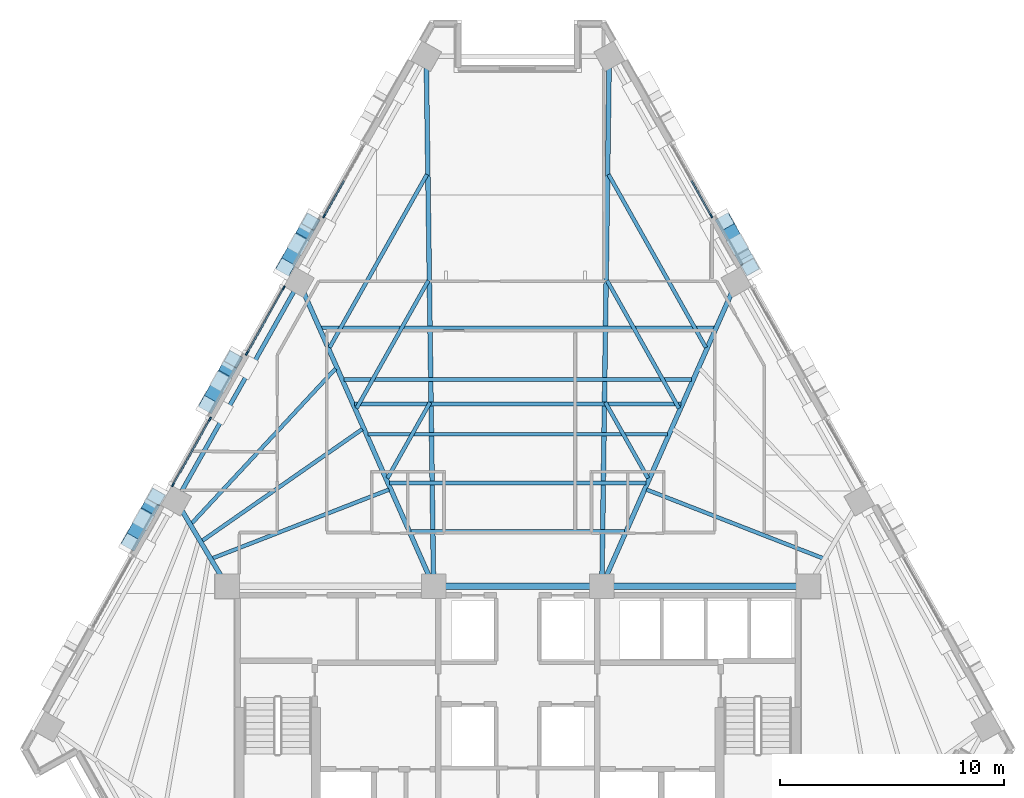
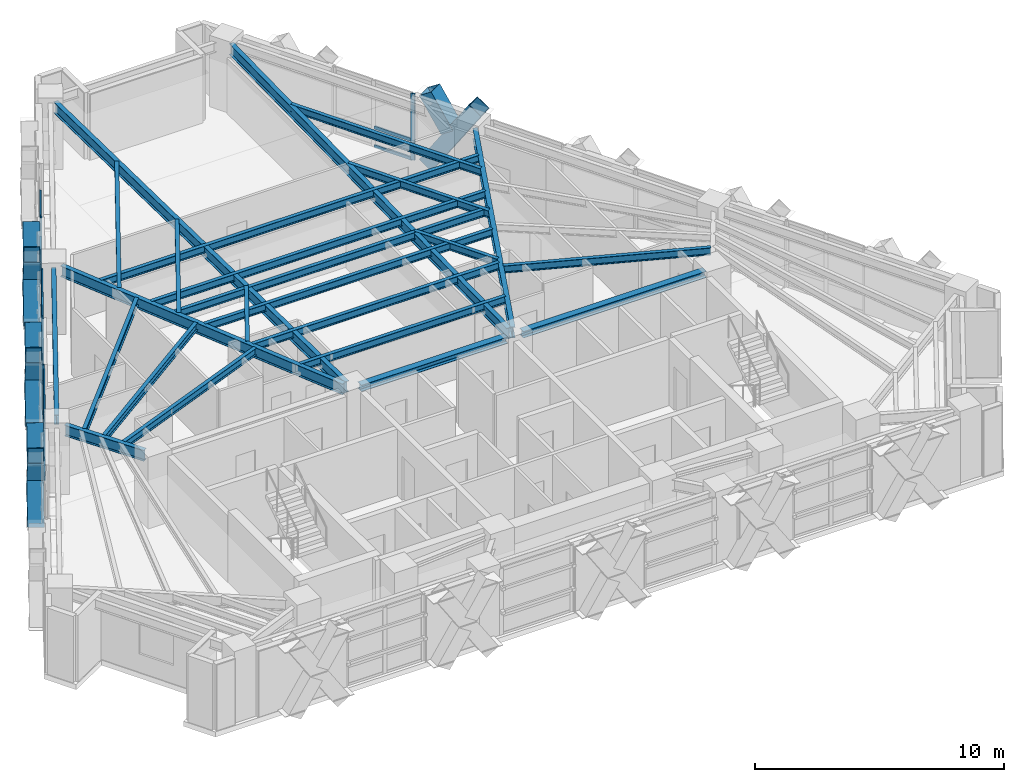
# One storey, part 3 of 14: 28 members, 24 beams, 4 elements without a shape of their own.
"""IFC4 building model written with IfcOpenShell, lengths in metres."""

from ifc_helpers import new_model, si_unit, direction, frame, origin, origin_2d, place, context, subcontext, project, spatial, rectangle, hollow_rectangle, i_section, extrude, material, material_profile, profile_set, type_object, element, aggregate, save


model = new_model("IFC4")

# Units and contexts
model_context = context("Model", 3, precision=1e-05, world=origin(), true_north=direction((0.0, 1.0)))
body_context = subcontext(model_context, "Body", "Model", "MODEL_VIEW")
ifc_project = project(units=[si_unit("LENGTHUNIT", "METRE"), si_unit("AREAUNIT", "SQUARE_METRE"), si_unit("VOLUMEUNIT", "CUBIC_METRE"), si_unit("PLANEANGLEUNIT", "RADIAN"), si_unit("MASSUNIT", "GRAM", prefix="KILO")], contexts=[model_context])

# Site, building, storey
site_placement = place(None, origin())
site = spatial("IfcSite", under=ifc_project, at=site_placement, CompositionType="ELEMENT")
building_placement = place(site_placement, origin())
building = spatial("IfcBuilding", under=site, at=building_placement, Name="Quenlor Broadcast Tower", CompositionType="ELEMENT")
storey_placement = place(building_placement, frame((0.0, 0.0, 154.5)))
storey = spatial("IfcBuildingStorey", under=building, at=storey_placement, Name="L42", CompositionType="ELEMENT", Elevation=154.5)

# Curtain wall, member
ifc_material_1 = material(Name="Architectural Terracotta and Low-E Glazing", Category="masonry")
curtain_wall_type = type_object("IfcCurtainWallType", Name="Unitised Terracotta Curtain Wall System Z3", PredefinedType="NOTDEFINED", material=ifc_material_1)
curtain_wall_1_placement = place(storey_placement, origin())
curtain_wall_1 = element("IfcCurtainWall", 1, at=curtain_wall_1_placement, inside=storey, type_object=curtain_wall_type, Name="L42 Curtain Wall CW3 (L42-NEA-G1)", PredefinedType="NOTDEFINED")
ifc_material_2 = material(Name="Aluminium 6063-T6", Category="aluminium")
ifc_material_profile_1 = material_profile(ifc_material_2, rectangle(XDim=0.070068359375, YDim=0.18994140625, at=origin_2d()))
ifc_profile_set_1 = profile_set([ifc_material_profile_1], Name="Aluminium 6063-T6 MULL70x190")
member_type_1 = type_object("IfcMemberType", Name="CW3 Aluminium Mullion MULL_CW3", PredefinedType="MULLION", material=ifc_profile_set_1)
member_1_placement = place(storey_placement, frame((8.62353515625, 11.71240234375, 0.0), z_axis=(0.0, 0.0, 1.0), x_axis=(0.871570530637, 0.490270139949, 0.0)))
member_1 = element("IfcMember", 2, at=member_1_placement, type_object=member_type_1, Name="CW3 mullion 3", PredefinedType="MULLION", context=body_context, shape_type="SweptSolid", body=[
    extrude(rectangle(XDim=0.070068359375, YDim=0.18994140625, at=origin_2d()), origin(), (0.0, 0.0, 1.0), 3.25),
])

curtain_wall_2_placement = place(storey_placement, origin())
curtain_wall_2 = element("IfcCurtainWall", 3, at=curtain_wall_2_placement, inside=storey, type_object=curtain_wall_type, Name="L42 Curtain Wall CW3 (L42-NWC-G1)", PredefinedType="NOTDEFINED")
member_2_placement = place(storey_placement, frame((-8.62353515625, 11.71240234375, 0.0), z_axis=(0.0, 0.0, 1.0), x_axis=(-0.871570530637, 0.490270139949, 0.0)))
member_2 = element("IfcMember", 4, at=member_2_placement, type_object=member_type_1, Name="CW3 mullion 1", PredefinedType="MULLION", context=body_context, shape_type="SweptSolid", body=[
    extrude(rectangle(XDim=0.070068359375, YDim=0.18994140625, at=origin_2d()), origin(), (0.0, 0.0, 1.0), 3.25),
])

# Curtain wall, members
curtain_wall_3_placement = place(storey_placement, origin())
curtain_wall_3 = element("IfcCurtainWall", 5, at=curtain_wall_3_placement, inside=storey, type_object=curtain_wall_type, Name="L42 Curtain Wall CW3 (L42-NW-G1)", PredefinedType="NOTDEFINED")
member_3_placement = place(storey_placement, frame((-15.365966796875, -0.274169921875, 0.0), z_axis=(0.0, 0.0, 1.0), x_axis=(-0.871571633105, 0.490268180048, 0.0)))
member_3 = element("IfcMember", 6, at=member_3_placement, type_object=member_type_1, Name="CW3 mullion 1", PredefinedType="MULLION", context=body_context, shape_type="SweptSolid", body=[
    extrude(rectangle(XDim=0.070068359375, YDim=0.18994140625, at=origin_2d()), origin(), (0.0, 0.0, 1.0), 3.25),
])
member_4_placement = place(storey_placement, frame((-13.723388671875, 2.64599609375, 0.0), z_axis=(0.0, 0.0, 1.0), x_axis=(-0.871571633105, 0.490268180048, 0.0)))
member_4 = element("IfcMember", 7, at=member_4_placement, type_object=member_type_1, Name="CW3 mullion 2", PredefinedType="MULLION", context=body_context, shape_type="SweptSolid", body=[
    extrude(rectangle(XDim=0.070068359375, YDim=0.18994140625, at=origin_2d()), origin(), (0.0, 0.0, 1.0), 3.25),
])

curtain_wall_4_placement = place(storey_placement, origin())
curtain_wall_4 = element("IfcCurtainWall", 8, at=curtain_wall_4_placement, inside=storey, type_object=curtain_wall_type, Name="L42 Curtain Wall CW3 (L42-NW-G2)", PredefinedType="NOTDEFINED")
member_5_placement = place(storey_placement, frame((-12.071533203125, 5.582275390625, 0.0), z_axis=(0.0, 0.0, 1.0), x_axis=(-0.871578660222, 0.490255687418, 0.0)))
member_5 = element("IfcMember", 9, at=member_5_placement, type_object=member_type_1, Name="CW3 mullion 1", PredefinedType="MULLION", context=body_context, shape_type="SweptSolid", body=[
    extrude(rectangle(XDim=0.070068359375, YDim=0.18994140625, at=origin_2d()), origin(), (0.0, 0.0, 1.0), 3.25),
])
member_6_placement = place(storey_placement, frame((-10.428955078125, 8.50244140625, 0.0), z_axis=(0.0, 0.0, 1.0), x_axis=(-0.871578660222, 0.490255687418, 0.0)))
member_6 = element("IfcMember", 10, at=member_6_placement, type_object=member_type_1, Name="CW3 mullion 2", PredefinedType="MULLION", context=body_context, shape_type="SweptSolid", body=[
    extrude(rectangle(XDim=0.070068359375, YDim=0.18994140625, at=origin_2d()), origin(), (0.0, 0.0, 1.0), 3.25),
])

# Member
ifc_material_3 = material(Name="Aluminium 6063-T6", Category="aluminium")
ifc_material_profile_2 = material_profile(ifc_material_3, rectangle(XDim=0.070068359375, YDim=0.155029296875, at=origin_2d()))
ifc_profile_set_2 = profile_set([ifc_material_profile_2], Name="Aluminium 6063-T6 TRAN70x155")
member_type_2 = type_object("IfcMemberType", Name="CW3 Aluminium Transom TRAN_CW3", PredefinedType="USERDEFINED", material=ifc_profile_set_2)
member_7_placement = place(storey_placement, frame((7.742431640625, 13.278564453125, 0.034912109375), z_axis=(0.490353334151, -0.871523727553, 0.0), x_axis=(0.871523727553, 0.490353334151, 0.0)))
member_7 = element("IfcMember", 11, at=member_7_placement, type_object=member_type_2, Name="CW3 transom 2.1", ObjectType="TRANSOM", PredefinedType="USERDEFINED", context=body_context, shape_type="SweptSolid", body=[
    extrude(rectangle(XDim=0.070068359375, YDim=0.155029296875, at=origin_2d()), origin(), (0.0, 0.0, 1.0), 1.761962890625),
])

member_8_placement = place(storey_placement, frame((7.742431640625, 13.278564453125, 0.949951171875), z_axis=(0.490353334151, -0.871523727553, 0.0), x_axis=(0.871523727553, 0.490353334151, 0.0)))
member_8 = element("IfcMember", 12, at=member_8_placement, type_object=member_type_2, Name="CW3 transom 2.2", ObjectType="TRANSOM", PredefinedType="USERDEFINED", context=body_context, shape_type="SweptSolid", body=[
    extrude(rectangle(XDim=0.070068359375, YDim=0.155029296875, at=origin_2d()), origin(), (0.0, 0.0, 1.0), 1.761962890625),
])

aggregate(curtain_wall_1, [member_1, member_7, member_8])

member_9_placement = place(storey_placement, frame((-8.6064453125, 11.742919921875, 0.034912109375), z_axis=(0.490353334151, 0.871523727553, 0.0), x_axis=(-0.871523727553, 0.490353334151, 0.0)))
member_9 = element("IfcMember", 13, at=member_9_placement, type_object=member_type_2, Name="CW3 transom 1.1", ObjectType="TRANSOM", PredefinedType="USERDEFINED", context=body_context, shape_type="SweptSolid", body=[
    extrude(rectangle(XDim=0.070068359375, YDim=0.155029296875, at=origin_2d()), origin(), (0.0, 0.0, 1.0), 1.761962890625),
])

member_10_placement = place(storey_placement, frame((-8.6064453125, 11.742919921875, 0.949951171875), z_axis=(0.490353334151, 0.871523727553, 0.0), x_axis=(-0.871523727553, 0.490353334151, 0.0)))
member_10 = element("IfcMember", 14, at=member_10_placement, type_object=member_type_2, Name="CW3 transom 1.2", ObjectType="TRANSOM", PredefinedType="USERDEFINED", context=body_context, shape_type="SweptSolid", body=[
    extrude(rectangle(XDim=0.070068359375, YDim=0.155029296875, at=origin_2d()), origin(), (0.0, 0.0, 1.0), 1.761962890625),
])

member_11_placement = place(storey_placement, frame((-8.6064453125, 11.742919921875, 3.215087890625), z_axis=(0.490353334151, 0.871523727553, 0.0), x_axis=(-0.871523727553, 0.490353334151, 0.0)))
member_11 = element("IfcMember", 15, at=member_11_placement, type_object=member_type_2, Name="CW3 transom 1.3", ObjectType="TRANSOM", PredefinedType="USERDEFINED", context=body_context, shape_type="SweptSolid", body=[
    extrude(rectangle(XDim=0.070068359375, YDim=0.155029296875, at=origin_2d()), origin(), (0.0, 0.0, 1.0), 1.761962890625),
])

aggregate(curtain_wall_2, [member_2, member_9, member_10, member_11])

member_12_placement = place(storey_placement, frame((-15.348876953125, -0.24365234375, 0.034912109375), z_axis=(0.490293039863, 0.871557648731, 0.0), x_axis=(-0.871557648731, 0.490293039863, 0.0)))
member_12 = element("IfcMember", 16, at=member_12_placement, type_object=member_type_2, Name="CW3 transom 1.1", ObjectType="TRANSOM", PredefinedType="USERDEFINED", context=body_context, shape_type="SweptSolid", body=[
    extrude(rectangle(XDim=0.070068359375, YDim=0.155029296875, at=origin_2d()), origin(), (0.0, 0.0, 1.0), 3.280517578125),
])

member_13_placement = place(storey_placement, frame((-15.348876953125, -0.24365234375, 0.949951171875), z_axis=(0.490293039863, 0.871557648731, 0.0), x_axis=(-0.871557648731, 0.490293039863, 0.0)))
member_13 = element("IfcMember", 17, at=member_13_placement, type_object=member_type_2, Name="CW3 transom 1.2", ObjectType="TRANSOM", PredefinedType="USERDEFINED", context=body_context, shape_type="SweptSolid", body=[
    extrude(rectangle(XDim=0.070068359375, YDim=0.155029296875, at=origin_2d()), origin(), (0.0, 0.0, 1.0), 3.280517578125),
])

member_14_placement = place(storey_placement, frame((-15.348876953125, -0.24365234375, 3.215087890625), z_axis=(0.490293039863, 0.871557648731, 0.0), x_axis=(-0.871557648731, 0.490293039863, 0.0)))
member_14 = element("IfcMember", 18, at=member_14_placement, type_object=member_type_2, Name="CW3 transom 1.3", ObjectType="TRANSOM", PredefinedType="USERDEFINED", context=body_context, shape_type="SweptSolid", body=[
    extrude(rectangle(XDim=0.070068359375, YDim=0.155029296875, at=origin_2d()), origin(), (0.0, 0.0, 1.0), 3.280517578125),
])

aggregate(curtain_wall_3, [member_3, member_4, member_12, member_13, member_14])

member_15_placement = place(storey_placement, frame((-12.054443359375, 5.61279296875, 0.034912109375), z_axis=(0.490236504766, 0.871589450025, 0.0), x_axis=(-0.871589450025, 0.490236504766, 0.0)))
member_15 = element("IfcMember", 19, at=member_15_placement, type_object=member_type_2, Name="CW3 transom 1.1", ObjectType="TRANSOM", PredefinedType="USERDEFINED", context=body_context, shape_type="SweptSolid", body=[
    extrude(rectangle(XDim=0.070068359375, YDim=0.155029296875, at=origin_2d()), origin(), (0.0, 0.0, 1.0), 3.2802734375),
])

member_16_placement = place(storey_placement, frame((-12.054443359375, 5.61279296875, 0.949951171875), z_axis=(0.490236504766, 0.871589450025, 0.0), x_axis=(-0.871589450025, 0.490236504766, 0.0)))
member_16 = element("IfcMember", 20, at=member_16_placement, type_object=member_type_2, Name="CW3 transom 1.2", ObjectType="TRANSOM", PredefinedType="USERDEFINED", context=body_context, shape_type="SweptSolid", body=[
    extrude(rectangle(XDim=0.070068359375, YDim=0.155029296875, at=origin_2d()), origin(), (0.0, 0.0, 1.0), 3.2802734375),
])

member_17_placement = place(storey_placement, frame((-12.054443359375, 5.61279296875, 3.215087890625), z_axis=(0.490236504766, 0.871589450025, 0.0), x_axis=(-0.871589450025, 0.490236504766, 0.0)))
member_17 = element("IfcMember", 21, at=member_17_placement, type_object=member_type_2, Name="CW3 transom 1.3", ObjectType="TRANSOM", PredefinedType="USERDEFINED", context=body_context, shape_type="SweptSolid", body=[
    extrude(rectangle(XDim=0.070068359375, YDim=0.155029296875, at=origin_2d()), origin(), (0.0, 0.0, 1.0), 3.2802734375),
])

aggregate(curtain_wall_4, [member_5, member_6, member_15, member_16, member_17])

# Beams
ifc_material_4 = material(Name="Steel S355", Category="steel")
ifc_material_profile_3 = material_profile(ifc_material_4, i_section(OverallWidth=0.304931640625, OverallDepth=0.30810546875, WebThickness=0.010009765625, FlangeThickness=0.015380859375, FilletRadius=0.0166015625, at=origin_2d()))
ifc_profile_set_3 = profile_set([ifc_material_profile_3], Name="Steel S355 310UC96.8")
beam_type_1 = type_object("IfcBeamType", Name="Core Header Beam Steel S355 310UC96.8", PredefinedType="BEAM", material=ifc_profile_set_3)
beam_1_placement = place(storey_placement, frame((-3.389892578125, -4.800048828125, 3.095947265625), z_axis=(1.0, 0.0, 0.0), x_axis=(0.0, 1.0, 0.0)))
element("IfcBeam", 22, at=beam_1_placement, inside=storey, type_object=beam_type_1, Name="L42 Core Header Beam 2", PredefinedType="BEAM", context=body_context, shape_type="SweptSolid", body=[
    extrude(i_section(OverallWidth=0.304931640625, OverallDepth=0.30810546875, WebThickness=0.010009765625, FlangeThickness=0.015380859375, FilletRadius=0.0166015625, at=origin_2d()), origin(), (0.0, 0.0, 1.0), 6.77978515625),
])
ifc_material_5 = material(Name="Steel S355", Category="steel")
ifc_material_profile_4 = material_profile(ifc_material_5, i_section(OverallWidth=0.306884765625, OverallDepth=0.314697265625, WebThickness=0.011962890625, FlangeThickness=0.018798828125, FilletRadius=0.0166015625, at=origin_2d()))
ifc_profile_set_4 = profile_set([ifc_material_profile_4], Name="Steel S355 310UC118")
beam_type_2 = type_object("IfcBeamType", Name="Core Tie Beam Steel S355 310UC118", PredefinedType="BEAM", material=ifc_profile_set_4)
beam_2_placement = place(storey_placement, frame((4.110107421875, -4.800048828125, 3.0927734375), z_axis=(1.0, 0.0, 0.0), x_axis=(0.0, 1.0, 0.0)))
element("IfcBeam", 23, at=beam_2_placement, inside=storey, type_object=beam_type_2, Name="L42 Core Tie Beam 3", PredefinedType="BEAM", context=body_context, shape_type="SweptSolid", body=[
    extrude(i_section(OverallWidth=0.306884765625, OverallDepth=0.314697265625, WebThickness=0.011962890625, FlangeThickness=0.018798828125, FilletRadius=0.0166015625, at=origin_2d()), origin(), (0.0, 0.0, 1.0), 8.47998046875),
])

# Members
ifc_material_6 = material(Name="Steel S355", Category="steel")
ifc_material_profile_5 = material_profile(ifc_material_6, hollow_rectangle(XDim=0.679931640625, YDim=0.679931640625, WallThickness=0.02490234375, at=origin_2d()))
ifc_profile_set_5 = profile_set([ifc_material_profile_5], Name="Steel S355 RHS680x680x25")
member_type_3 = type_object("IfcMemberType", Name="Perimeter Diagonal Lattice Brace Z3-Z4 Steel S355 RHS680x25", PredefinedType="BRACE", material=ifc_profile_set_5)
member_18_placement = place(storey_placement, frame((9.225830078125, 11.447265625, -0.1201171875), z_axis=(0.27060310517, -0.481001091283, 0.833913610428), x_axis=(0.871544572467, 0.490316283845, 0.0)))
element("IfcMember", 24, at=member_18_placement, inside=storey, type_object=member_type_3, Name="L42 Perimeter Diamond Lattice NE-C2XA", PredefinedType="BRACE", context=body_context, shape_type="SweptSolid", body=[
    extrude(hollow_rectangle(XDim=0.679931640625, YDim=0.679931640625, WallThickness=0.02490234375, at=origin_2d()), origin(), (0.0, 0.0, 1.0), 4.197021484375),
])
member_19_placement = place(storey_placement, frame((9.72607421875, 10.55810546875, 1.83837890625), z_axis=(-0.270616433058, 0.481007832697, 0.833905396938), x_axis=(-0.871537189362, -0.490329407194, 0.0)))
element("IfcMember", 25, at=member_19_placement, inside=storey, type_object=member_type_3, Name="L42 Perimeter Diamond Lattice NE-C2XB2", PredefinedType="BRACE", context=body_context, shape_type="SweptSolid", body=[
    extrude(hollow_rectangle(XDim=0.679931640625, YDim=0.679931640625, WallThickness=0.02490234375, at=origin_2d()), origin(), (0.0, 0.0, 1.0), 1.8486328125),
])
member_20_placement = place(storey_placement, frame((-17.257568359375, -2.83154296875, -0.1201171875), z_axis=(0.2705491942, 0.481008661973, 0.833926735766), x_axis=(-0.871589611547, 0.490236217596, 0.0)))
element("IfcMember", 26, at=member_20_placement, inside=storey, type_object=member_type_3, Name="L42 Perimeter Diamond Lattice NW-C2XA", PredefinedType="BRACE", context=body_context, shape_type="SweptSolid", body=[
    extrude(hollow_rectangle(XDim=0.679931640625, YDim=0.679931640625, WallThickness=0.02490234375, at=origin_2d()), origin(), (0.0, 0.0, 1.0), 4.197021484375),
])
member_21_placement = place(storey_placement, frame((-16.1220703125, -0.812744140625, -0.1201171875), z_axis=(-0.270616433058, -0.481007832697, 0.833905396938), x_axis=(0.871537189362, -0.490329407194, 0.0)))
element("IfcMember", 27, at=member_21_placement, inside=storey, type_object=member_type_3, Name="L42 Perimeter Diamond Lattice NW-C2XB1", PredefinedType="BRACE", context=body_context, shape_type="SweptSolid", body=[
    extrude(hollow_rectangle(XDim=0.679931640625, YDim=0.679931640625, WallThickness=0.02490234375, at=origin_2d()), origin(), (0.0, 0.0, 1.0), 1.8486328125),
])
member_22_placement = place(storey_placement, frame((-16.757568359375, -1.9423828125, 1.83837890625), z_axis=(-0.270494026149, -0.481025021111, 0.833935195853), x_axis=(0.871639445711, -0.490147607034, 0.0)))
element("IfcMember", 28, at=member_22_placement, inside=storey, type_object=member_type_3, Name="L42 Perimeter Diamond Lattice NW-C2XB2", PredefinedType="BRACE", context=body_context, shape_type="SweptSolid", body=[
    extrude(hollow_rectangle(XDim=0.679931640625, YDim=0.679931640625, WallThickness=0.02490234375, at=origin_2d()), origin(), (0.0, 0.0, 1.0), 1.848388671875),
])
member_23_placement = place(storey_placement, frame((-13.8095703125, 3.298583984375, -0.1201171875), z_axis=(0.270556764115, 0.480963948764, 0.833950068878), x_axis=(-0.871564276035, 0.49028125881, 0.0)))
element("IfcMember", 29, at=member_23_placement, inside=storey, type_object=member_type_3, Name="L42 Perimeter Diamond Lattice NW-C3XA", PredefinedType="BRACE", context=body_context, shape_type="SweptSolid", body=[
    extrude(hollow_rectangle(XDim=0.679931640625, YDim=0.679931640625, WallThickness=0.02490234375, at=origin_2d()), origin(), (0.0, 0.0, 1.0), 4.19677734375),
])
member_24_placement = place(storey_placement, frame((-12.674072265625, 5.317138671875, -0.1201171875), z_axis=(-0.270616433058, -0.481007832697, 0.833905396938), x_axis=(0.871537189362, -0.490329407194, 0.0)))
element("IfcMember", 30, at=member_24_placement, inside=storey, type_object=member_type_3, Name="L42 Perimeter Diamond Lattice NW-C3XB1", PredefinedType="BRACE", context=body_context, shape_type="SweptSolid", body=[
    extrude(hollow_rectangle(XDim=0.679931640625, YDim=0.679931640625, WallThickness=0.02490234375, at=origin_2d()), origin(), (0.0, 0.0, 1.0), 1.8486328125),
])
member_25_placement = place(storey_placement, frame((-13.309326171875, 4.1875, 1.83837890625), z_axis=(-0.270633624024, -0.480906307989, 0.833958370954), x_axis=(0.871479637717, -0.49043168846, 0.0)))
element("IfcMember", 31, at=member_25_placement, inside=storey, type_object=member_type_3, Name="L42 Perimeter Diamond Lattice NW-C3XB2", PredefinedType="BRACE", context=body_context, shape_type="SweptSolid", body=[
    extrude(hollow_rectangle(XDim=0.679931640625, YDim=0.679931640625, WallThickness=0.02490234375, at=origin_2d()), origin(), (0.0, 0.0, 1.0), 1.848388671875),
])
member_26_placement = place(storey_placement, frame((-10.361572265625, 9.428466796875, -0.1201171875), z_axis=(0.27060310517, 0.481001091283, 0.833913610428), x_axis=(-0.871544572467, 0.490316283845, 0.0)))
element("IfcMember", 32, at=member_26_placement, inside=storey, type_object=member_type_3, Name="L42 Perimeter Diamond Lattice NW-C4XA", PredefinedType="BRACE", context=body_context, shape_type="SweptSolid", body=[
    extrude(hollow_rectangle(XDim=0.679931640625, YDim=0.679931640625, WallThickness=0.02490234375, at=origin_2d()), origin(), (0.0, 0.0, 1.0), 4.197021484375),
])
member_27_placement = place(storey_placement, frame((-9.225830078125, 11.447265625, -0.1201171875), z_axis=(-0.270616433058, -0.481007832697, 0.833905396938), x_axis=(0.871537189362, -0.490329407194, 0.0)))
element("IfcMember", 33, at=member_27_placement, inside=storey, type_object=member_type_3, Name="L42 Perimeter Diamond Lattice NW-C4XB1", PredefinedType="BRACE", context=body_context, shape_type="SweptSolid", body=[
    extrude(hollow_rectangle(XDim=0.679931640625, YDim=0.679931640625, WallThickness=0.02490234375, at=origin_2d()), origin(), (0.0, 0.0, 1.0), 1.8486328125),
])
member_28_placement = place(storey_placement, frame((-9.861328125, 10.3173828125, 1.83837890625), z_axis=(-0.270633624024, -0.480906307989, 0.833958370954), x_axis=(0.871479637717, -0.49043168846, 0.0)))
element("IfcMember", 34, at=member_28_placement, inside=storey, type_object=member_type_3, Name="L42 Perimeter Diamond Lattice NW-C4XB2", PredefinedType="BRACE", context=body_context, shape_type="SweptSolid", body=[
    extrude(hollow_rectangle(XDim=0.679931640625, YDim=0.679931640625, WallThickness=0.02490234375, at=origin_2d()), origin(), (0.0, 0.0, 1.0), 1.848388671875),
])

# Beams
ifc_material_7 = material(Name="Steel S355", Category="steel")
ifc_material_profile_6 = material_profile(ifc_material_7, i_section(OverallWidth=0.19091796875, OverallDepth=0.46044921875, WebThickness=0.010009765625, FlangeThickness=0.01611328125, FilletRadius=0.011474609375, at=origin_2d()))
ifc_profile_set_6 = profile_set([ifc_material_profile_6], Name="Steel S355 460UB82.1")
beam_type_3 = type_object("IfcBeamType", Name="Perimeter Spandrel Beam Z3 Steel S355 460UB82.1", PredefinedType="SPANDREL", material=ifc_profile_set_6)
beam_3_placement = place(storey_placement, frame((-9.944091796875, 8.39599609375, 3.019775390625), z_axis=(-0.490252288562, -0.871580572041, 0.0), x_axis=(0.871580572041, -0.490252288562, 0.0)))
element("IfcBeam", 35, at=beam_3_placement, inside=storey, type_object=beam_type_3, Name="L42 Spandrel Beam NW2-NW3", PredefinedType="SPANDREL", context=body_context, shape_type="SweptSolid", body=[
    extrude(i_section(OverallWidth=0.19091796875, OverallDepth=0.46044921875, WebThickness=0.010009765625, FlangeThickness=0.01611328125, FilletRadius=0.011474609375, at=origin_2d()), origin(), (0.0, 0.0, 1.0), 10.359619140625),
])
ifc_material_8 = material(Name="Steel S355", Category="steel")
ifc_material_profile_7 = material_profile(ifc_material_8, i_section(OverallWidth=0.172119140625, OverallDepth=0.358642578125, WebThickness=0.008056640625, FlangeThickness=0.012939453125, FilletRadius=0.011474609375, at=origin_2d()))
ifc_profile_set_7 = profile_set([ifc_material_profile_7], Name="Steel S355 360UB56.7")
beam_type_4 = type_object("IfcBeamType", Name="Tower Composite Joist Z2-Z3 Steel S355 360UB56.7", PredefinedType="JOIST", material=ifc_profile_set_7)
beam_4_placement = place(storey_placement, frame((-4.748779296875, -2.3603515625, 3.07080078125), z_axis=(1.0, 0.0, 0.0), x_axis=(0.0, 1.0, 0.0)))
element("IfcBeam", 36, at=beam_4_placement, inside=storey, type_object=beam_type_4, Name="L42 Secondary Composite Joist 1", PredefinedType="JOIST", context=body_context, shape_type="SweptSolid", body=[
    extrude(i_section(OverallWidth=0.172119140625, OverallDepth=0.358642578125, WebThickness=0.008056640625, FlangeThickness=0.012939453125, FilletRadius=0.011474609375, at=origin_2d()), origin(), (0.0, 0.0, 1.0), 9.49755859375),
])
beam_5_placement = place(storey_placement, frame((-7.265869140625, 3.33203125, 3.07080078125), z_axis=(1.0, 0.0, 0.0), x_axis=(0.0, 1.0, 0.0)))
element("IfcBeam", 37, at=beam_5_placement, inside=storey, type_object=beam_type_4, Name="L42 Secondary Composite Joist 2", PredefinedType="JOIST", context=body_context, shape_type="SweptSolid", body=[
    extrude(i_section(OverallWidth=0.172119140625, OverallDepth=0.358642578125, WebThickness=0.008056640625, FlangeThickness=0.012939453125, FilletRadius=0.011474609375, at=origin_2d()), origin(), (0.0, 0.0, 1.0), 14.53173828125),
])
beam_6_placement = place(storey_placement, frame((-5.70751953125, -0.19189453125, 3.07080078125), z_axis=(1.0, 0.0, 0.0), x_axis=(0.0, 1.0, 0.0)))
element("IfcBeam", 38, at=beam_6_placement, inside=storey, type_object=beam_type_4, Name="L42 Secondary Composite Joist 3", PredefinedType="JOIST", context=body_context, shape_type="SweptSolid", body=[
    extrude(i_section(OverallWidth=0.172119140625, OverallDepth=0.358642578125, WebThickness=0.008056640625, FlangeThickness=0.012939453125, FilletRadius=0.011474609375, at=origin_2d()), origin(), (0.0, 0.0, 1.0), 11.4150390625),
])
beam_7_placement = place(storey_placement, frame((-6.66650390625, 1.976806640625, 3.07080078125), z_axis=(1.0, 0.0, 0.0), x_axis=(0.0, 1.0, 0.0)))
element("IfcBeam", 39, at=beam_7_placement, inside=storey, type_object=beam_type_4, Name="L42 Secondary Composite Joist 4", PredefinedType="JOIST", context=body_context, shape_type="SweptSolid", body=[
    extrude(i_section(OverallWidth=0.172119140625, OverallDepth=0.358642578125, WebThickness=0.008056640625, FlangeThickness=0.012939453125, FilletRadius=0.011474609375, at=origin_2d()), origin(), (0.0, 0.0, 1.0), 13.3330078125),
])
beam_8_placement = place(storey_placement, frame((-7.7451171875, 4.416259765625, 3.07080078125), z_axis=(1.0, 0.0, 0.0), x_axis=(0.0, 1.0, 0.0)))
element("IfcBeam", 40, at=beam_8_placement, inside=storey, type_object=beam_type_4, Name="L42 Secondary Composite Joist 5", PredefinedType="JOIST", context=body_context, shape_type="SweptSolid", body=[
    extrude(i_section(OverallWidth=0.172119140625, OverallDepth=0.358642578125, WebThickness=0.008056640625, FlangeThickness=0.012939453125, FilletRadius=0.011474609375, at=origin_2d()), origin(), (0.0, 0.0, 1.0), 15.490234375),
])
beam_9_placement = place(storey_placement, frame((-8.763916015625, 6.72021484375, 3.07080078125), z_axis=(1.0, 0.0, 0.0), x_axis=(0.0, 1.0, 0.0)))
element("IfcBeam", 41, at=beam_9_placement, inside=storey, type_object=beam_type_4, Name="L42 Secondary Composite Joist 6", PredefinedType="JOIST", context=body_context, shape_type="SweptSolid", body=[
    extrude(i_section(OverallWidth=0.172119140625, OverallDepth=0.358642578125, WebThickness=0.008056640625, FlangeThickness=0.012939453125, FilletRadius=0.011474609375, at=origin_2d()), origin(), (0.0, 0.0, 1.0), 17.52783203125),
])
beam_10_placement = place(storey_placement, frame((-13.60302734375, -3.552001953125, 3.07080078125), z_axis=(0.931881865797, 0.362761889121, 0.0), x_axis=(-0.362761889121, 0.931881865797, 0.0)))
element("IfcBeam", 42, at=beam_10_placement, inside=storey, type_object=beam_type_4, Name="L42 Secondary Composite Joist 7", PredefinedType="JOIST", context=body_context, shape_type="SweptSolid", body=[
    extrude(i_section(OverallWidth=0.172119140625, OverallDepth=0.358642578125, WebThickness=0.008056640625, FlangeThickness=0.012939453125, FilletRadius=0.011474609375, at=origin_2d()), origin(), (0.0, 0.0, 1.0), 8.435546875),
])
beam_11_placement = place(storey_placement, frame((-14.06689453125, -2.7734375, 3.07080078125), z_axis=(0.82026568394, 0.57198269882, 0.0), x_axis=(-0.57198269882, 0.82026568394, 0.0)))
element("IfcBeam", 43, at=beam_11_placement, inside=storey, type_object=beam_type_4, Name="L42 Secondary Composite Joist 8", PredefinedType="JOIST", context=body_context, shape_type="SweptSolid", body=[
    extrude(i_section(OverallWidth=0.172119140625, OverallDepth=0.358642578125, WebThickness=0.008056640625, FlangeThickness=0.012939453125, FilletRadius=0.011474609375, at=origin_2d()), origin(), (0.0, 0.0, 1.0), 8.698486328125),
])
beam_12_placement = place(storey_placement, frame((-14.53271484375, -1.998779296875, 3.07080078125), z_axis=(0.680873505991, 0.732401030065, 0.0), x_axis=(-0.732401030065, 0.680873505991, 0.0)))
element("IfcBeam", 44, at=beam_12_placement, inside=storey, type_object=beam_type_4, Name="L42 Secondary Composite Joist 9", PredefinedType="JOIST", context=body_context, shape_type="SweptSolid", body=[
    extrude(i_section(OverallWidth=0.172119140625, OverallDepth=0.358642578125, WebThickness=0.008056640625, FlangeThickness=0.012939453125, FilletRadius=0.011474609375, at=origin_2d()), origin(), (0.0, 0.0, 1.0), 9.419189453125),
])
beam_13_placement = place(storey_placement, frame((13.60302734375, -3.552001953125, 3.07080078125), z_axis=(-0.931881865797, 0.362761889121, 0.0), x_axis=(-0.362761889121, -0.931881865797, 0.0)))
element("IfcBeam", 45, at=beam_13_placement, inside=storey, type_object=beam_type_4, Name="L42 Secondary Composite Joist 10", PredefinedType="JOIST", context=body_context, shape_type="SweptSolid", body=[
    extrude(i_section(OverallWidth=0.172119140625, OverallDepth=0.358642578125, WebThickness=0.008056640625, FlangeThickness=0.012939453125, FilletRadius=0.011474609375, at=origin_2d()), origin(), (0.0, 0.0, 1.0), 8.435546875),
])
beam_14_placement = place(storey_placement, frame((-3.904541015625, 3.39794921875, 3.07080078125), z_axis=(-0.49026422458, -0.871573858085, 0.0), x_axis=(0.871573858085, -0.49026422458, 0.0)))
element("IfcBeam", 46, at=beam_14_placement, inside=storey, type_object=beam_type_4, Name="L42 Secondary Composite Joist 25", PredefinedType="JOIST", context=body_context, shape_type="SweptSolid", body=[
    extrude(i_section(OverallWidth=0.172119140625, OverallDepth=0.358642578125, WebThickness=0.008056640625, FlangeThickness=0.012939453125, FilletRadius=0.011474609375, at=origin_2d()), origin(), (0.0, 0.0, 1.0), 3.88330078125),
])
beam_15_placement = place(storey_placement, frame((-3.980224609375, 8.8310546875, 3.07080078125), z_axis=(-0.490266556378, -0.871572546434, 0.0), x_axis=(0.871572546434, -0.490266556378, 0.0)))
element("IfcBeam", 47, at=beam_15_placement, inside=storey, type_object=beam_type_4, Name="L42 Secondary Composite Joist 26", PredefinedType="JOIST", context=body_context, shape_type="SweptSolid", body=[
    extrude(i_section(OverallWidth=0.172119140625, OverallDepth=0.358642578125, WebThickness=0.008056640625, FlangeThickness=0.012939453125, FilletRadius=0.011474609375, at=origin_2d()), origin(), (0.0, 0.0, 1.0), 6.54052734375),
])
beam_16_placement = place(storey_placement, frame((-4.046142578125, 13.555419921875, 3.07080078125), z_axis=(-0.490254691431, -0.871579220455, 0.0), x_axis=(0.871579220455, -0.490254691431, 0.0)))
element("IfcBeam", 48, at=beam_16_placement, inside=storey, type_object=beam_type_4, Name="L42 Secondary Composite Joist 27", PredefinedType="JOIST", context=body_context, shape_type="SweptSolid", body=[
    extrude(i_section(OverallWidth=0.172119140625, OverallDepth=0.358642578125, WebThickness=0.008056640625, FlangeThickness=0.012939453125, FilletRadius=0.011474609375, at=origin_2d()), origin(), (0.0, 0.0, 1.0), 8.850830078125),
])
beam_17_placement = place(storey_placement, frame((3.904541015625, 3.39794921875, 3.07080078125), z_axis=(0.49026422458, -0.871573858085, 0.0), x_axis=(0.871573858085, 0.49026422458, 0.0)))
element("IfcBeam", 49, at=beam_17_placement, inside=storey, type_object=beam_type_4, Name="L42 Secondary Composite Joist 28", PredefinedType="JOIST", context=body_context, shape_type="SweptSolid", body=[
    extrude(i_section(OverallWidth=0.172119140625, OverallDepth=0.358642578125, WebThickness=0.008056640625, FlangeThickness=0.012939453125, FilletRadius=0.011474609375, at=origin_2d()), origin(), (0.0, 0.0, 1.0), 3.88330078125),
])
beam_18_placement = place(storey_placement, frame((3.980224609375, 8.8310546875, 3.07080078125), z_axis=(0.490266556378, -0.871572546434, 0.0), x_axis=(0.871572546434, 0.490266556378, 0.0)))
element("IfcBeam", 50, at=beam_18_placement, inside=storey, type_object=beam_type_4, Name="L42 Secondary Composite Joist 29", PredefinedType="JOIST", context=body_context, shape_type="SweptSolid", body=[
    extrude(i_section(OverallWidth=0.172119140625, OverallDepth=0.358642578125, WebThickness=0.008056640625, FlangeThickness=0.012939453125, FilletRadius=0.011474609375, at=origin_2d()), origin(), (0.0, 0.0, 1.0), 6.54052734375),
])
beam_19_placement = place(storey_placement, frame((4.046142578125, 13.555419921875, 3.07080078125), z_axis=(0.490254691431, -0.871579220455, 0.0), x_axis=(0.871579220455, 0.490254691431, 0.0)))
element("IfcBeam", 51, at=beam_19_placement, inside=storey, type_object=beam_type_4, Name="L42 Secondary Composite Joist 30", PredefinedType="JOIST", context=body_context, shape_type="SweptSolid", body=[
    extrude(i_section(OverallWidth=0.172119140625, OverallDepth=0.358642578125, WebThickness=0.008056640625, FlangeThickness=0.012939453125, FilletRadius=0.011474609375, at=origin_2d()), origin(), (0.0, 0.0, 1.0), 8.850830078125),
])
ifc_material_9 = material(Name="Steel S355", Category="steel")
ifc_material_profile_8 = material_profile(ifc_material_9, i_section(OverallWidth=0.208984375, OverallDepth=0.532958984375, WebThickness=0.01025390625, FlangeThickness=0.015625, FilletRadius=0.013916015625, at=origin_2d()))
ifc_profile_set_8 = profile_set([ifc_material_profile_8], Name="Steel S355 530UB92.4")
beam_type_5 = type_object("IfcBeamType", Name="Tower Primary Floor Beam Z3 Steel S355 530UB92.4", PredefinedType="BEAM", material=ifc_profile_set_8)
beam_20_placement = place(storey_placement, frame((9.5771484375, 8.37841796875, 2.9833984375), z_axis=(-0.404397129794, -0.914583490675, 0.0), x_axis=(0.914583490675, -0.404397129794, 0.0)))
element("IfcBeam", 52, at=beam_20_placement, inside=storey, type_object=beam_type_5, Name="L42 Primary Radial Beam NE3", PredefinedType="BEAM", context=body_context, shape_type="SweptSolid", body=[
    extrude(i_section(OverallWidth=0.208984375, OverallDepth=0.532958984375, WebThickness=0.01025390625, FlangeThickness=0.015625, FilletRadius=0.013916015625, at=origin_2d()), origin(), (0.0, 0.0, 1.0), 14.029052734375),
])
for number, where, z_axis, x_axis, name in (
    (53, (4.073486328125, 18.412109375, 2.9833984375), (-0.013931496433, -0.999902951994, 0.0), (0.999902951994, -0.013931496433, 0.0), "L42 Primary Radial Beam NE4"),
    (54, (-4.073486328125, 18.412109375, 2.9833984375), (0.013931496433, -0.999902951994, 0.0), (0.999902951994, 0.013931496433, 0.0), "L42 Primary Radial Beam NW1"),
):
    element("IfcBeam", number, at=place(storey_placement, frame(where, z_axis=z_axis, x_axis=x_axis)), inside=storey, type_object=beam_type_5, Name=name, PredefinedType="BEAM", context=body_context, shape_type="SweptSolid", body=[
        extrude(i_section(OverallWidth=0.208984375, OverallDepth=0.532958984375, WebThickness=0.01025390625, FlangeThickness=0.015625, FilletRadius=0.013916015625, at=origin_2d()), origin(), (0.0, 0.0, 1.0), 22.834228515625),
    ])
beam_21_placement = place(storey_placement, frame((-9.5771484375, 8.37841796875, 2.9833984375), z_axis=(0.404397129794, -0.914583490675, 0.0), x_axis=(0.914583490675, 0.404397129794, 0.0)))
element("IfcBeam", 55, at=beam_21_placement, inside=storey, type_object=beam_type_5, Name="L42 Primary Radial Beam NW2", PredefinedType="BEAM", context=body_context, shape_type="SweptSolid", body=[
    extrude(i_section(OverallWidth=0.208984375, OverallDepth=0.532958984375, WebThickness=0.01025390625, FlangeThickness=0.015625, FilletRadius=0.013916015625, at=origin_2d()), origin(), (0.0, 0.0, 1.0), 14.029052734375),
])
beam_22_placement = place(storey_placement, frame((-15.013916015625, -1.3427734375, 2.9833984375), z_axis=(0.512604023694, -0.858625130597, 0.0), x_axis=(0.858625130597, 0.512604023694, 0.0)))
element("IfcBeam", 56, at=beam_22_placement, inside=storey, type_object=beam_type_5, Name="L42 Primary Radial Beam NW3", PredefinedType="BEAM", context=body_context, shape_type="SweptSolid", body=[
    extrude(i_section(OverallWidth=0.208984375, OverallDepth=0.532958984375, WebThickness=0.01025390625, FlangeThickness=0.015625, FilletRadius=0.013916015625, at=origin_2d()), origin(), (0.0, 0.0, 1.0), 3.646484375),
])

save(model, "model.ifc")
